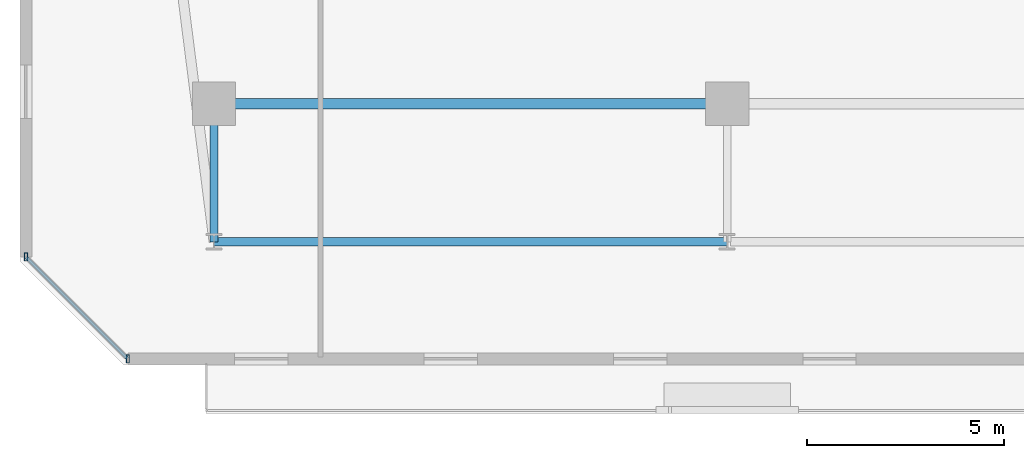
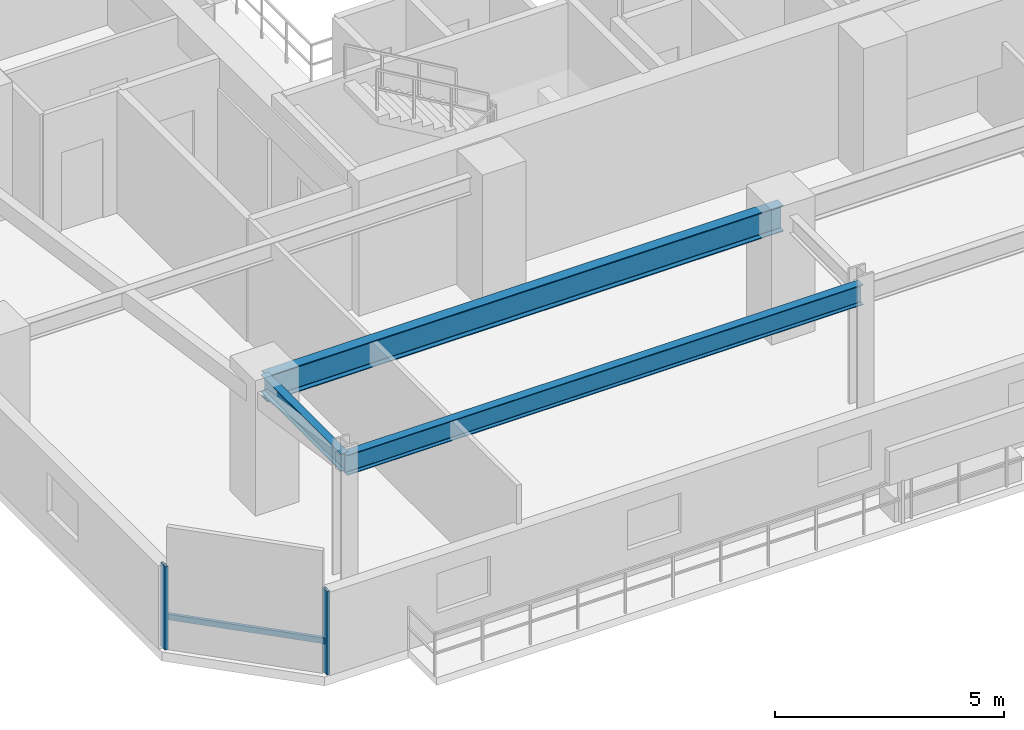
# One storey, part 3 of 36: 3 beams, 3 members, 1 element without a shape of its own.
"""IFC4 building model written with IfcOpenShell, lengths in metres."""

from ifc_helpers import new_model, si_unit, direction, frame, origin, origin_2d, place, context, subcontext, project, spatial, hollow_rectangle, i_section, extrude, material, material_profile, profile_set, type_object, element, aggregate, save


model = new_model("IFC4")

# Units and contexts
model_context = context("Model", 3, precision=1e-05, world=origin(), true_north=direction((0.0, 1.0)))
body_context = subcontext(model_context, "Body", "Model", "MODEL_VIEW")
ifc_project = project(units=[si_unit("LENGTHUNIT", "METRE"), si_unit("AREAUNIT", "SQUARE_METRE"), si_unit("VOLUMEUNIT", "CUBIC_METRE"), si_unit("PLANEANGLEUNIT", "RADIAN"), si_unit("MASSUNIT", "GRAM", prefix="KILO")], contexts=[model_context])

# Site, building, storey
site_placement = place(None, origin())
site = spatial("IfcSite", under=ifc_project, at=site_placement, CompositionType="ELEMENT")
building_placement = place(site_placement, origin())
building = spatial("IfcBuilding", under=site, at=building_placement, Name="Thornwick Lancets Civic Towers", CompositionType="ELEMENT")
storey_placement = place(building_placement, frame((0.0, 0.0, 170.699951171875)))
storey = spatial("IfcBuildingStorey", under=building, at=storey_placement, Name="L45", CompositionType="ELEMENT", Elevation=170.699951171875)

# Beams
ifc_material_1 = material(Name="Steel S355JR", Category="steel")
ifc_material_profile_1 = material_profile(ifc_material_1, i_section(OverallWidth=0.210693359375, OverallDepth=0.53955078125, WebThickness=0.01171875, FlangeThickness=0.018798828125, FilletRadius=0.0126953125, at=origin_2d()), Name="UKB 533x210x109")
ifc_profile_set_1 = profile_set([ifc_material_profile_1], Name="Steel S355JR")
beam_type_1 = type_object("IfcBeamType", Name="BM_EDGE_533_109", PredefinedType="SPANDREL", material=ifc_profile_set_1)
beam_1_placement = place(storey_placement, frame((12.5, 6.199951171875, 3.01025390625), z_axis=(1.0, 0.0, 0.0), x_axis=(0.0, 1.0, 0.0)))
element("IfcBeam", 1, at=beam_1_placement, inside=storey, type_object=beam_type_1, Name="BM-EDGE-L45-A-S0-1", PredefinedType="SPANDREL", context=body_context, shape_type="SweptSolid", body=[
    extrude(i_section(OverallWidth=0.210693359375, OverallDepth=0.53955078125, WebThickness=0.01171875, FlangeThickness=0.018798828125, FilletRadius=0.0126953125, at=origin_2d()), origin(), (0.0, 0.0, 1.0), 13.0),
])
ifc_material_profile_2 = material_profile(ifc_material_1, i_section(OverallWidth=0.255859375, OverallDepth=0.69287109375, WebThickness=0.014404296875, FlangeThickness=0.023681640625, FilletRadius=0.01513671875, at=origin_2d()), Name="UKB 686x254x170")
ifc_profile_set_2 = profile_set([ifc_material_profile_2], Name="Steel S355JR")
beam_type_2 = type_object("IfcBeamType", Name="BM_GIRD_686_170", PredefinedType="BEAM", material=ifc_profile_set_2)
beam_2_placement = place(storey_placement, frame((12.5, 9.699951171875, 2.93359375), z_axis=(1.0, 0.0, 0.0), x_axis=(0.0, 1.0, 0.0)))
element("IfcBeam", 2, at=beam_2_placement, inside=storey, type_object=beam_type_2, Name="BM-SPINE-L45-A-0-1", PredefinedType="BEAM", context=body_context, shape_type="SweptSolid", body=[
    extrude(i_section(OverallWidth=0.255859375, OverallDepth=0.69287109375, WebThickness=0.014404296875, FlangeThickness=0.023681640625, FilletRadius=0.01513671875, at=origin_2d()), origin(), (0.0, 0.0, 1.0), 13.0),
])
ifc_material_profile_3 = material_profile(ifc_material_1, i_section(OverallWidth=0.19189453125, OverallDepth=0.46337890625, WebThickness=0.010498046875, FlangeThickness=0.017578125, FilletRadius=0.01025390625, at=origin_2d()), Name="UKB 457x191x89")
ifc_profile_set_3 = profile_set([ifc_material_profile_3], Name="Steel S355JR")
beam_type_3 = type_object("IfcBeamType", Name="BM_JOIST_457_89", PredefinedType="JOIST", material=ifc_profile_set_3)
beam_3_placement = place(storey_placement, frame((12.5, 9.699951171875, 3.04833984375), z_axis=(0.0, -1.0, 0.0), x_axis=(1.0, 0.0, 0.0)))
element("IfcBeam", 3, at=beam_3_placement, inside=storey, type_object=beam_type_3, Name="BM-RAD-L45-A01", PredefinedType="JOIST", context=body_context, shape_type="SweptSolid", body=[
    extrude(i_section(OverallWidth=0.19189453125, OverallDepth=0.46337890625, WebThickness=0.010498046875, FlangeThickness=0.017578125, FilletRadius=0.01025390625, at=origin_2d()), origin(), (0.0, 0.0, 1.0), 3.5),
])

# Curtain wall, members
ifc_material_2 = material(Name="Mid-zone chamfered-corner unitised glass curtain wall", Category="glass")
curtain_wall_type = type_object("IfcCurtainWallType", Name="CW_SYS_04", PredefinedType="NOTDEFINED", material=ifc_material_2)
curtain_wall_placement = place(storey_placement, origin())
curtain_wall = element("IfcCurtainWall", 4, at=curtain_wall_placement, inside=storey, type_object=curtain_wall_type, Name="L45 Curtain Wall CW-L45-A-E7", PredefinedType="NOTDEFINED")
ifc_material_3 = material(Name="Thermally broken bronze aluminium S355", Category="steel")
ifc_material_profile_4 = material_profile(ifc_material_3, hollow_rectangle(XDim=0.080078125, YDim=0.199951171875, WallThickness=0.006103515625, at=origin_2d()), Name="RHS 200x80x6")
ifc_profile_set_4 = profile_set([ifc_material_profile_4], Name="Thermally broken bronze aluminium S355")
member_type_1 = type_object("IfcMemberType", Name="CW_MUL_200", PredefinedType="MULLION", material=ifc_profile_set_4)
member_1_placement = place(storey_placement, frame((7.7353515625, 5.818603515625, 0.0), z_axis=(0.0, 0.0, 1.0), x_axis=(1.0, 0.0, 0.0)))
member_1 = element("IfcMember", 5, at=member_1_placement, type_object=member_type_1, Name="CW-L45-A-E7 Mullion 0", PredefinedType="MULLION", context=body_context, shape_type="SweptSolid", body=[
    extrude(hollow_rectangle(XDim=0.080078125, YDim=0.199951171875, WallThickness=0.006103515625, at=origin_2d()), origin(), (0.0, 0.0, 1.0), 2.219970703125),
])
member_2_placement = place(storey_placement, frame((10.318603515625, 3.2353515625, 0.0), z_axis=(0.0, 0.0, 1.0), x_axis=(1.0, 0.0, 0.0)))
member_2 = element("IfcMember", 6, at=member_2_placement, type_object=member_type_1, Name="CW-L45-A-E7 Mullion 1", PredefinedType="MULLION", context=body_context, shape_type="SweptSolid", body=[
    extrude(hollow_rectangle(XDim=0.080078125, YDim=0.199951171875, WallThickness=0.006103515625, at=origin_2d()), origin(), (0.0, 0.0, 1.0), 2.219970703125),
])
ifc_material_profile_5 = material_profile(ifc_material_3, hollow_rectangle(XDim=0.074951171875, YDim=0.14990234375, WallThickness=0.0048828125, at=origin_2d()), Name="RHS 150x75x5")
ifc_profile_set_5 = profile_set([ifc_material_profile_5], Name="Thermally broken bronze aluminium S355")
member_type_2 = type_object("IfcMemberType", Name="CW_TRN_150", PredefinedType="USERDEFINED", material=ifc_profile_set_5)
member_3_placement = place(storey_placement, frame((7.74951171875, 5.804443359375, 0.85009765625), z_axis=(0.707106781187, -0.707106781187, 0.0), x_axis=(0.707106781187, 0.707106781187, 0.0)))
member_3 = element("IfcMember", 7, at=member_3_placement, type_object=member_type_2, Name="CW-L45-A-E7 Transom 0", ObjectType="TRANSOM", PredefinedType="USERDEFINED", context=body_context, shape_type="SweptSolid", body=[
    extrude(hollow_rectangle(XDim=0.074951171875, YDim=0.14990234375, WallThickness=0.0048828125, at=origin_2d()), origin(), (0.0, 0.0, 1.0), 3.61328125),
])
aggregate(curtain_wall, [member_1, member_2, member_3])

save(model, "model.ifc")
